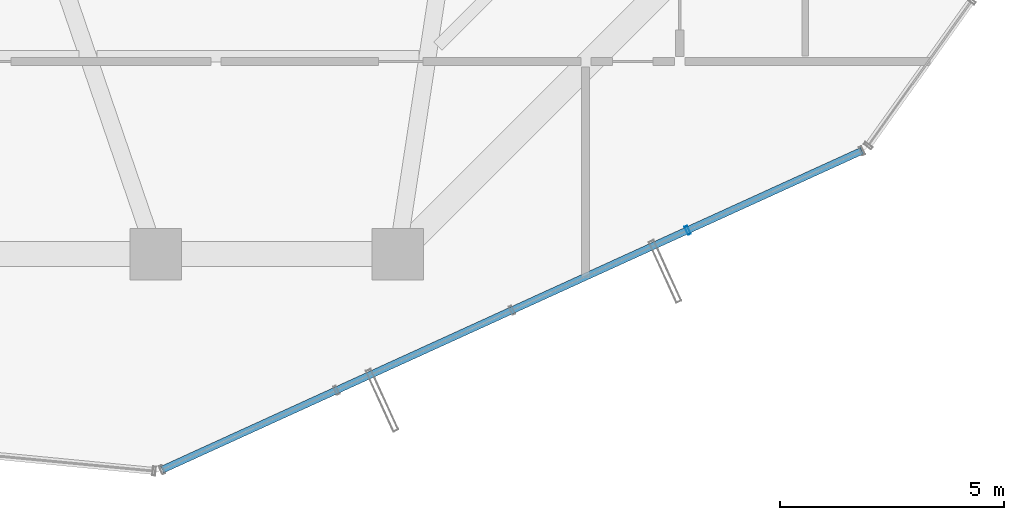
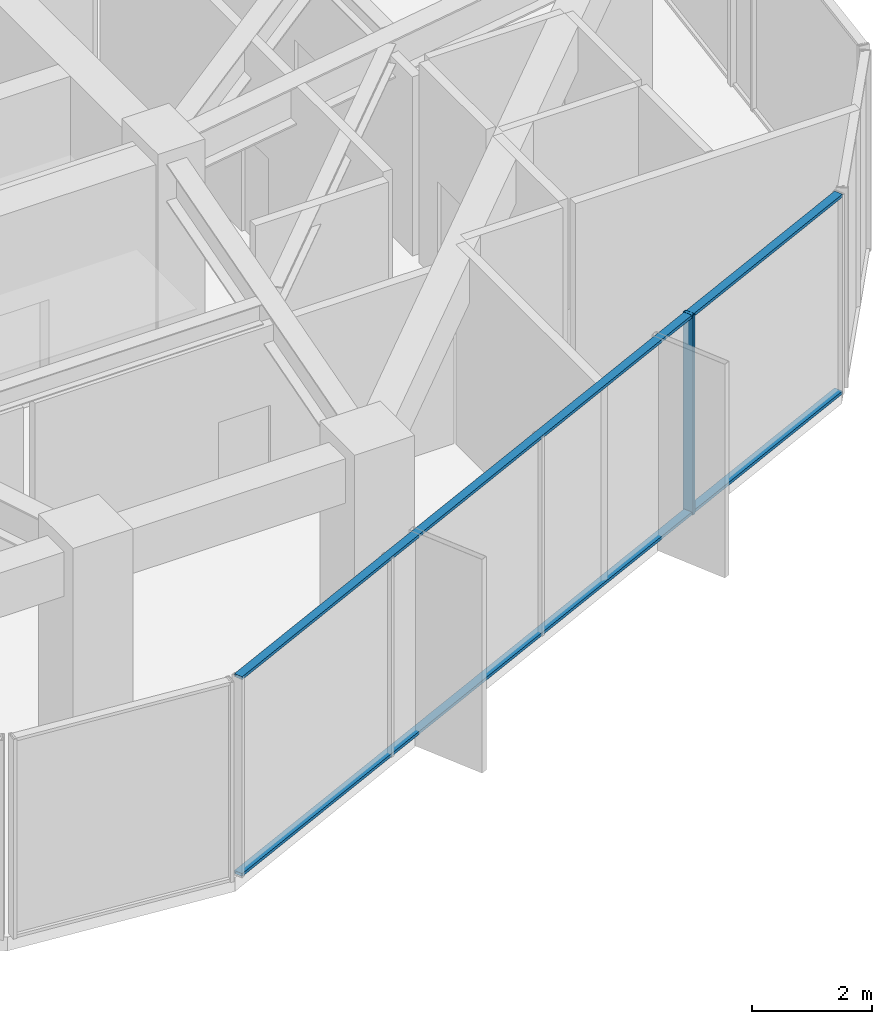
# One storey, part 6 of 25: 3 members, 1 element without a shape of its own.
"""IFC4 building model written with IfcOpenShell, lengths in metres."""

from ifc_helpers import new_model, si_unit, direction, frame, origin, origin_2d, place, context, subcontext, project, spatial, hollow_rectangle, extrude, source, transform, mapped, material, layer, layer_set, material_profile, profile_set, type_object, element, aggregate, save


model = new_model("IFC4")

# Units and contexts
model_context = context("Model", 3, precision=1e-05, world=origin(), true_north=direction((0.0, 1.0)))
body_context = subcontext(model_context, "Body", "Model", "MODEL_VIEW")
ifc_project = project(units=[si_unit("LENGTHUNIT", "METRE"), si_unit("AREAUNIT", "SQUARE_METRE"), si_unit("VOLUMEUNIT", "CUBIC_METRE"), si_unit("PLANEANGLEUNIT", "RADIAN"), si_unit("MASSUNIT", "GRAM", prefix="KILO")], contexts=[model_context])

# Site, building, storey
site_placement = place(None, origin())
site = spatial("IfcSite", under=ifc_project, at=site_placement, CompositionType="ELEMENT")
building_placement = place(site_placement, origin())
building = spatial("IfcBuilding", under=site, at=building_placement, Name="Veraguas Prism Commons", CompositionType="ELEMENT")
storey_placement = place(building_placement, frame((0.0, 0.0, 108.949951171875)))
storey = spatial("IfcBuildingStorey", under=building, at=storey_placement, Name="L30", CompositionType="ELEMENT", Elevation=108.949951171875)

# Curtain wall, members
ifc_material = material(Name="Anodised aluminium EN AW-6063 T6", Category="aluminium")
ifc_layer = layer(ifc_material, 0.199951171875, Name="Sky Lobby and Pool Acoustic Curtain Wall", Category="aluminium")
ifc_layer_set = layer_set([ifc_layer], Name="Anodised aluminium EN AW-6063 T6")
curtain_wall_type = type_object("IfcCurtainWallType", Name="Sky Lobby and Pool Acoustic Curtain Wall", PredefinedType="NOTDEFINED", material=ifc_layer_set)
curtain_wall_placement = place(storey_placement, origin())
curtain_wall = element("IfcCurtainWall", 1, at=curtain_wall_placement, inside=storey, type_object=curtain_wall_type, Name="Tower Facade Curtain Wall L30-F5", PredefinedType="NOTDEFINED")
ifc_material_profile_1 = material_profile(ifc_material, hollow_rectangle(XDim=0.06494140625, YDim=0.199951171875, WallThickness=0.00390625, at=origin_2d()), Name="AL65X200X4")
ifc_profile_set_1 = profile_set([ifc_material_profile_1], Name="Anodised aluminium EN AW-6063 T6")
member_type_1 = type_object("IfcMemberType", Name="Curtain Wall Mullion Heavy AL 65x200x4", PredefinedType="MULLION", material=ifc_profile_set_1)
shared_shape_1 = source(origin(), body_context, "Body", "SweptSolid", [
    extrude(hollow_rectangle(XDim=0.06494140625, YDim=0.199951171875, WallThickness=0.00390625, at=origin_2d()), origin(), (0.0, 0.0, 1.0), 4.050048828125),
])
member_1_placement = place(storey_placement, frame((35.87548828125, 8.33154296875, 0.0), z_axis=(0.0, 0.0, 1.0), x_axis=(0.909960547099, 0.414694830838, 0.0)))
member_1 = element("IfcMember", 2, at=member_1_placement, type_object=member_type_1, Name="CW-SKY Mullion 4", PredefinedType="MULLION", context=body_context, shape_type="MappedRepresentation", body=[
    mapped(shared_shape_1, transform((0.0, 0.0, 0.0), scale=1.0)),
])
ifc_material_profile_2 = material_profile(ifc_material, hollow_rectangle(XDim=0.06005859375, YDim=0.159912109375, WallThickness=0.0029296875, at=origin_2d()), Name="AL60X160X3")
ifc_profile_set_2 = profile_set([ifc_material_profile_2], Name="Anodised aluminium EN AW-6063 T6")
member_type_2 = type_object("IfcMemberType", Name="Curtain Wall Transom Heavy AL 60x160x3", PredefinedType="USERDEFINED", material=ifc_profile_set_2)
shared_shape_2 = source(origin(), body_context, "Body", "SweptSolid", [
    extrude(hollow_rectangle(XDim=0.06005859375, YDim=0.159912109375, WallThickness=0.0029296875, at=origin_2d()), origin(), (0.0, 0.0, 1.0), 17.16943359375),
])
member_2_placement = place(storey_placement, frame((24.14306640625, 2.984619140625, 0.030029296875), z_axis=(0.909959907945, 0.414696233324, 0.0), x_axis=(0.0, 0.0, 1.0)))
member_2 = element("IfcMember", 3, at=member_2_placement, type_object=member_type_2, Name="CW-SKY Transom 1", ObjectType="TRANSOM", PredefinedType="USERDEFINED", context=body_context, shape_type="MappedRepresentation", body=[
    mapped(shared_shape_2, transform((0.0, 0.0, 0.0), scale=1.0)),
])
member_3_placement = place(storey_placement, frame((24.14306640625, 2.984619140625, 4.02001953125), z_axis=(0.909959907945, 0.414696233324, 0.0), x_axis=(0.0, 0.0, 1.0)))
member_3 = element("IfcMember", 4, at=member_3_placement, type_object=member_type_2, Name="CW-SKY Transom 2", ObjectType="TRANSOM", PredefinedType="USERDEFINED", context=body_context, shape_type="MappedRepresentation", body=[
    mapped(shared_shape_2, transform((0.0, 0.0, 0.0), scale=1.0)),
])
aggregate(curtain_wall, [member_1, member_2, member_3])

save(model, "model.ifc")
